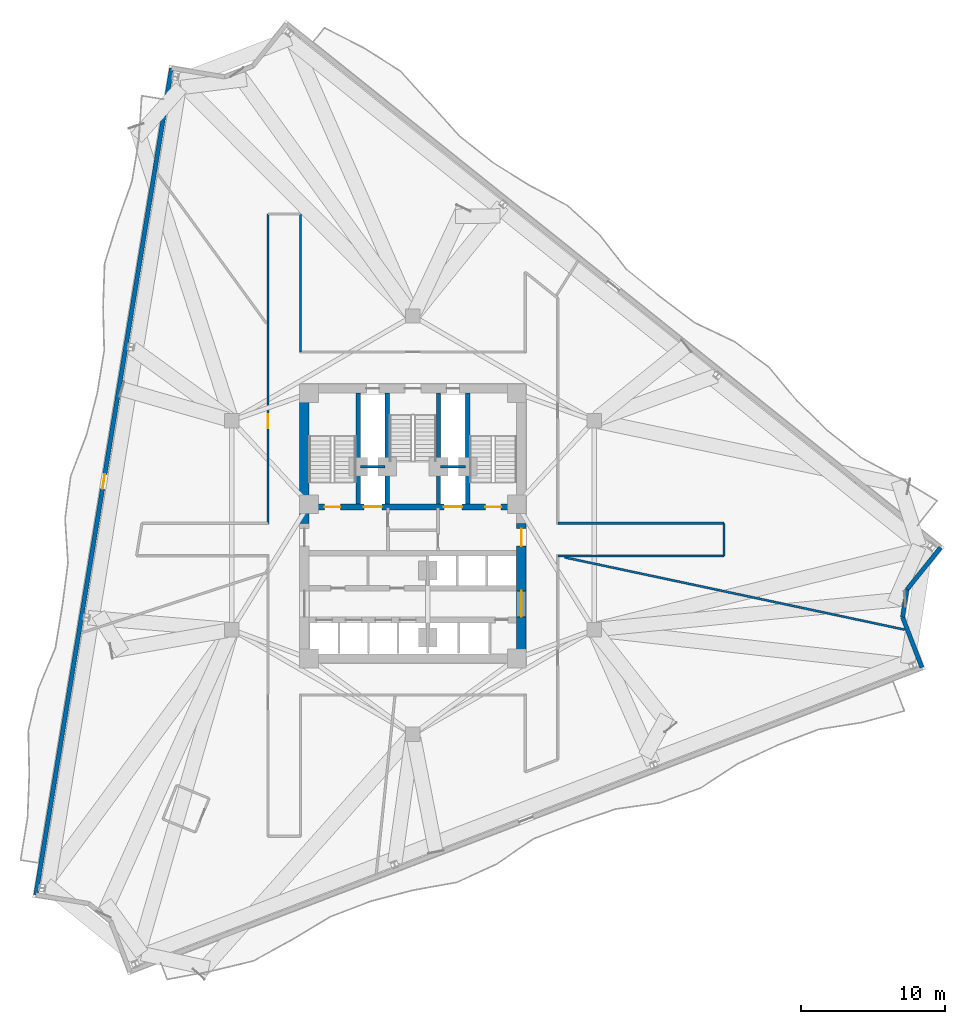
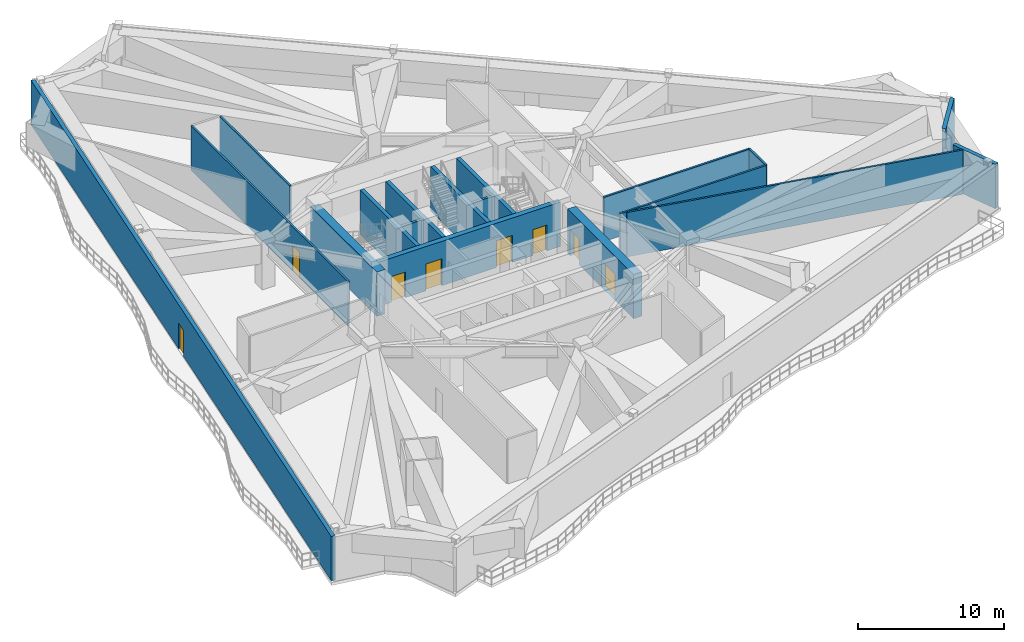
# One storey, part 9 of 14: 19 walls, 8 doors, 8 openings.
"""IFC4 building model written with IfcOpenShell, lengths in metres."""

from ifc_helpers import new_model, si_unit, direction, frame, frame_2d, origin, place, context, subcontext, project, spatial, rectangle, extrude, material, layer, layer_set, type_object, element, fill, save


model = new_model("IFC4")

# Units and contexts
model_context = context("Model", 3, precision=1e-05, world=origin(), true_north=direction((0.0, 1.0)))
body_context = subcontext(model_context, "Body", "Model", "MODEL_VIEW")
ifc_project = project(units=[si_unit("LENGTHUNIT", "METRE"), si_unit("AREAUNIT", "SQUARE_METRE"), si_unit("VOLUMEUNIT", "CUBIC_METRE"), si_unit("PLANEANGLEUNIT", "RADIAN"), si_unit("MASSUNIT", "GRAM", prefix="KILO")], contexts=[model_context])

# Site, building, storey
site_placement = place(None, origin())
site = spatial("IfcSite", under=ifc_project, at=site_placement, CompositionType="ELEMENT")
building_placement = place(site_placement, origin())
building = spatial("IfcBuilding", under=site, at=building_placement, Name="Apsidion Concourse Tower", CompositionType="ELEMENT")
storey_placement = place(building_placement, frame((0.0, 0.0, 156.800048828125)))
storey = spatial("IfcBuildingStorey", under=building, at=storey_placement, Name="L36", CompositionType="ELEMENT", Elevation=156.800048828125)

# Walls
ifc_material_1 = material(Name="Precast concrete C40/50", Category="concrete")
ifc_layer_1 = layer(ifc_material_1, 0.300048828125)
ifc_layer_set_1 = layer_set([ifc_layer_1], Name="Precast concrete C40/50")
wall_type_1 = type_object("IfcWallType", Name="WL-EXT-300", PredefinedType="STANDARD", material=ifc_layer_set_1)
wall_1_placement = place(storey_placement, frame((36.58984375, -1.556640625, 0.0), z_axis=(0.0, 0.0, 1.0), x_axis=(-0.62493402561, -0.780677567012, 0.0)))
element("IfcWall", 1, at=wall_1_placement, inside=storey, type_object=wall_type_1, Name="L36 Precast Stone Facade Wall 02", PredefinedType="STANDARD", context=body_context, shape_type="SweptSolid", body=[
    extrude(rectangle(XDim=3.737060546875, YDim=0.300048828125, at=frame_2d((1.86865234375, 0.0))), origin(), (0.0, 0.0, 1.0), 3.699951171875),
])
wall_2_placement = place(storey_placement, frame((34.25439453125, -4.47412109375, 0.0), z_axis=(0.0, 0.0, 1.0), x_axis=(-0.153717968475, -0.988114763663, 0.0)))
element("IfcWall", 2, at=wall_2_placement, inside=storey, type_object=wall_type_1, Name="L36 Precast Stone Facade Wall 03", PredefinedType="STANDARD", context=body_context, shape_type="SweptSolid", body=[
    extrude(rectangle(XDim=1.932861328125, YDim=0.300048828125, at=frame_2d((0.96630859375, 0.0))), origin(), (0.0, 0.0, 1.0), 2.079833984375),
])
wall_3_placement = place(storey_placement, frame((33.957275390625, -6.384033203125, 0.0), z_axis=(0.0, 0.0, 1.0), x_axis=(0.358344201462, -0.933589542186, 0.0)))
element("IfcWall", 3, at=wall_3_placement, inside=storey, type_object=wall_type_1, Name="L36 Precast Stone Facade Wall 04", PredefinedType="STANDARD", context=body_context, shape_type="SweptSolid", body=[
    extrude(rectangle(XDim=3.737060546875, YDim=0.300048828125, at=frame_2d((1.86865234375, 0.0))), origin(), (0.0, 0.0, 1.0), 3.699951171875),
])

# Wall, opening, door
wall_4_placement = place(storey_placement, frame((-26.149658203125, -25.64013671875, 0.0), z_axis=(0.0, 0.0, 1.0), x_axis=(0.161975761987, 0.986794736776, 0.0)))
wall_4 = element("IfcWall", 4, at=wall_4_placement, inside=storey, type_object=wall_type_1, Name="L36 Precast Stone Facade Wall 09", PredefinedType="STANDARD", context=body_context, shape_type="SweptSolid", body=[
    extrude(rectangle(XDim=58.093017578125, YDim=0.300048828125, at=frame_2d((29.04638671875, 0.0))), origin(), (0.0, 0.0, 1.0), 3.699951171875),
])
opening_1_placement = place(wall_4_placement, frame((28.54638671875, 0.0, 0.0)))
opening_1 = element("IfcOpeningElement", 5, at=opening_1_placement, cuts=wall_4, Name="Opening D-T1L", PredefinedType="OPENING", context=body_context, shape_type="SweptSolid", body=[
    extrude(rectangle(XDim=1.0, YDim=2.14990234375, at=frame_2d((0.5, 1.074951171875))), frame((0.0, 0.16015625, 0.0), z_axis=(0.0, -1.0, 0.0), x_axis=(1.0, 0.0, 0.0)), (0.0, 0.0, 1.0), 0.320068359375),
])
ifc_material_2 = material(Name="Anodised aluminium EN AW-6063 T6", Category="aluminium")
door_type_1 = type_object("IfcDoorType", Name="DR-TER-1022L", OperationType="SINGLE_SWING_LEFT", PredefinedType="DOOR", material=ifc_material_2)
door_1_placement = place(opening_1_placement, origin())
door_1 = element("IfcDoor", 6, at=door_1_placement, inside=storey, type_object=door_type_1, Name="L36 Balcony Access Door 1", OperationType="SINGLE_SWING_LEFT", OverallHeight=2.14990234375, OverallWidth=1.0, PredefinedType="DOOR", context=body_context, shape_type="SweptSolid", body=[
    extrude(rectangle(XDim=1.0, YDim=2.14990234375, at=frame_2d((0.5, 1.074951171875))), frame((0.0, 0.02490234375, 0.0), z_axis=(0.0, -1.0, 0.0), x_axis=(1.0, 0.0, 0.0)), (0.0, 0.0, 1.0), 0.050048828125),
])
fill(opening_1, door_1)

ifc_material_3 = material(Name="Gypsum plasterboard partition")
ifc_layer_2 = layer(ifc_material_3, 0.14990234375)
ifc_layer_set_2 = layer_set([ifc_layer_2], Name="Gypsum plasterboard partition")
wall_type_2 = type_object("IfcWallType", Name="WL-INT-PAR-150", PredefinedType="PARTITIONING", material=ifc_layer_set_2)
wall_5_placement = place(storey_placement, frame((-10.050048828125, 0.1298828125, 0.0), z_axis=(0.0, 0.0, 1.0), x_axis=(0.0, 1.0, 0.0)))
wall_5 = element("IfcWall", 7, at=wall_5_placement, inside=storey, type_object=wall_type_2, Name="L36 Interior Partition WL-L36-CORR-10", PredefinedType="PARTITIONING", context=body_context, shape_type="SweptSolid", body=[
    extrude(rectangle(XDim=21.4501953125, YDim=0.14990234375, at=frame_2d((10.72509765625, 0.0))), origin(), (0.0, 0.0, 1.0), 3.699951171875),
])
opening_2_placement = place(wall_5_placement, frame((6.601318359375, 0.0, 0.0)))
opening_2 = element("IfcOpeningElement", 8, at=opening_2_placement, cuts=wall_5, Name="Opening D-01L", PredefinedType="OPENING", context=body_context, shape_type="SweptSolid", body=[
    extrude(rectangle(XDim=0.949951171875, YDim=2.14990234375, at=frame_2d((0.47509765625, 1.074951171875))), frame((0.0, 0.0849609375, 0.0), z_axis=(0.0, -1.0, 0.0), x_axis=(1.0, 0.0, 0.0)), (0.0, 0.0, 1.0), 0.169921875),
])
ifc_material_4 = material(Name="Brushed stainless steel 316", Category="steel")
door_type_2 = type_object("IfcDoorType", Name="DR-INT-D01L", OperationType="SINGLE_SWING_LEFT", PredefinedType="DOOR", material=ifc_material_4)
door_2_placement = place(opening_2_placement, origin())
door_2 = element("IfcDoor", 9, at=door_2_placement, inside=storey, type_object=door_type_2, Name="L36 Corridor Entry Door 05", OperationType="SINGLE_SWING_LEFT", OverallHeight=2.14990234375, OverallWidth=0.949951171875, PredefinedType="DOOR", context=body_context, shape_type="SweptSolid", body=[
    extrude(rectangle(XDim=0.949951171875, YDim=2.14990234375, at=frame_2d((0.47509765625, 1.074951171875))), frame((0.0, 0.02490234375, 0.0), z_axis=(0.0, -1.0, 0.0), x_axis=(1.0, 0.0, 0.0)), (0.0, 0.0, 1.0), 0.050048828125),
])
fill(opening_2, door_2)

# Walls
wall_6_placement = place(storey_placement, frame((-7.7900390625, 21.580078125, 0.0), z_axis=(0.0, 0.0, 1.0), x_axis=(0.0, -1.0, 0.0)))
element("IfcWall", 10, at=wall_6_placement, inside=storey, type_object=wall_type_2, Name="L36 Interior Partition WL-L36-CORR-12", PredefinedType="PARTITIONING", context=body_context, shape_type="SweptSolid", body=[
    extrude(rectangle(XDim=9.580078125, YDim=0.14990234375, at=frame_2d((4.7900390625, 0.0))), origin(), (0.0, 0.0, 1.0), 3.699951171875),
])
wall_7_placement = place(storey_placement, frame((10.050048828125, 0.1298828125, 0.0), z_axis=(0.0, 0.0, 1.0), x_axis=(1.0, 0.0, 0.0)))
element("IfcWall", 11, at=wall_7_placement, inside=storey, type_object=wall_type_2, Name="L36 Interior Partition WL-L36-CORR-17", PredefinedType="PARTITIONING", context=body_context, shape_type="SweptSolid", body=[
    extrude(rectangle(XDim=11.530029296875, YDim=0.14990234375, at=frame_2d((5.76513671875, 0.0))), origin(), (0.0, 0.0, 1.0), 3.699951171875),
])
wall_8_placement = place(storey_placement, frame((21.580078125, 0.1298828125, 0.0), z_axis=(0.0, 0.0, 1.0), x_axis=(0.0, -1.0, 0.0)))
element("IfcWall", 12, at=wall_8_placement, inside=storey, type_object=wall_type_2, Name="L36 Interior Partition WL-L36-CORR-18", PredefinedType="PARTITIONING", context=body_context, shape_type="SweptSolid", body=[
    extrude(rectangle(XDim=2.259765625, YDim=0.14990234375, at=frame_2d((1.1298828125, 0.0))), origin(), (0.0, 0.0, 1.0), 3.699951171875),
])
wall_9_placement = place(storey_placement, frame((21.580078125, -2.1298828125, 0.0), z_axis=(0.0, 0.0, 1.0), x_axis=(-1.0, 0.0, 0.0)))
element("IfcWall", 13, at=wall_9_placement, inside=storey, type_object=wall_type_2, Name="L36 Interior Partition WL-L36-CORR-19", PredefinedType="PARTITIONING", context=body_context, shape_type="SweptSolid", body=[
    extrude(rectangle(XDim=11.530029296875, YDim=0.14990234375, at=frame_2d((5.76513671875, 0.0))), origin(), (0.0, 0.0, 1.0), 3.699951171875),
])
wall_10_placement = place(storey_placement, frame((10.514892578125, -2.235107421875, 0.0), z_axis=(0.0, 0.0, 1.0), x_axis=(0.978148639384, -0.207906804293, 0.0)))
element("IfcWall", 14, at=wall_10_placement, inside=storey, type_object=wall_type_2, Name="L36 Interior Partition WL-L36-RAD-05-1", PredefinedType="PARTITIONING", context=body_context, shape_type="SweptSolid", body=[
    extrude(rectangle(XDim=24.12548828125, YDim=0.14990234375, at=frame_2d((12.062744140625, 0.0))), origin(), (0.0, 0.0, 1.0), 3.699951171875),
])
ifc_layer_3 = layer(ifc_material_3, 0.199951171875)
ifc_layer_set_3 = layer_set([ifc_layer_3], Name="Gypsum plasterboard partition")
wall_type_3 = type_object("IfcWallType", Name="WL-INT-PAR-200", PredefinedType="PARTITIONING", material=ifc_layer_set_3)
for number, where, z_axis, x_axis, name in (
    (15, (-3.64990234375, 4.050048828125, 0.0), (0.0, 0.0, 1.0), (1.0, 0.0, 0.0), "L36 Interior Partition WL-L36-FF1-N"),
    (16, (1.919921875, 4.050048828125, 0.0), (0.0, 0.0, 1.0), (1.0, 0.0, 0.0), "L36 Interior Partition WL-L36-FF2-N"),
):
    element("IfcWall", number, at=place(storey_placement, frame(where, z_axis=z_axis, x_axis=x_axis)), inside=storey, type_object=wall_type_3, Name=name, PredefinedType="PARTITIONING", context=body_context, shape_type="SweptSolid", body=[
        extrude(rectangle(XDim=1.72998046875, YDim=0.199951171875, at=frame_2d((0.864990234375, 0.0))), origin(), (0.0, 0.0, 1.0), 3.699951171875),
    ])
ifc_material_5 = material(Name="Concrete C50/60", Category="concrete")
ifc_layer_4 = layer(ifc_material_5, 0.300048828125)
ifc_layer_set_4 = layer_set([ifc_layer_4], Name="Concrete C50/60")
wall_type_4 = type_object("IfcWallType", Name="WL-SH-300", PredefinedType="SHEAR", material=ifc_layer_set_4)
for number, where, z_axis, x_axis, name in (
    (17, (-3.800048828125, 1.449951171875, 0.0), (0.0, 0.0, 1.0), (0.0, 1.0, 0.0), "L36 Central Core Shear Wall V1"),
    (18, (-1.77490234375, 1.449951171875, 0.0), (0.0, 0.0, 1.0), (0.0, 1.0, 0.0), "L36 Central Core Shear Wall V2"),
    (19, (1.77490234375, 1.449951171875, 0.0), (0.0, 0.0, 1.0), (0.0, 1.0, 0.0), "L36 Central Core Shear Wall V3"),
    (20, (3.800048828125, 1.449951171875, 0.0), (0.0, 0.0, 1.0), (0.0, 1.0, 0.0), "L36 Central Core Shear Wall V4"),
):
    element("IfcWall", number, at=place(storey_placement, frame(where, z_axis=z_axis, x_axis=x_axis)), inside=storey, type_object=wall_type_4, Name=name, PredefinedType="SHEAR", context=body_context, shape_type="SweptSolid", body=[
        extrude(rectangle(XDim=7.699951171875, YDim=0.300048828125, at=frame_2d((3.85009765625, 0.0))), origin(), (0.0, 0.0, 1.0), 3.699951171875),
    ])

# Wall, openings, doors
ifc_layer_5 = layer(ifc_material_5, 0.39990234375)
ifc_layer_set_5 = layer_set([ifc_layer_5], Name="Concrete C50/60")
wall_type_5 = type_object("IfcWallType", Name="WL-SH-400", PredefinedType="SHEAR", material=ifc_layer_set_5)
wall_11_placement = place(storey_placement, frame((-7.199951171875, 1.25, 0.0), z_axis=(0.0, 0.0, 1.0), x_axis=(1.0, 0.0, 0.0)))
wall_11 = element("IfcWall", 21, at=wall_11_placement, inside=storey, type_object=wall_type_5, Name="L36 Central Core Shear Wall M1", PredefinedType="SHEAR", context=body_context, shape_type="SweptSolid", body=[
    extrude(rectangle(XDim=14.39990234375, YDim=0.39990234375, at=frame_2d((7.199951171875, 0.0))), origin(), (0.0, 0.0, 1.0), 3.699951171875),
])
opening_3_placement = place(wall_11_placement, frame((3.794921875, 0.0, 0.0)))
opening_3 = element("IfcOpeningElement", 22, at=opening_3_placement, cuts=wall_11, Name="Opening LD-FF", PredefinedType="OPENING", context=body_context, shape_type="SweptSolid", body=[
    extrude(rectangle(XDim=1.25, YDim=2.25, at=frame_2d((0.625, 1.125))), frame((0.0, 0.2099609375, 0.0), z_axis=(0.0, -1.0, 0.0), x_axis=(1.0, 0.0, 0.0)), (0.0, 0.0, 1.0), 0.419921875),
])
opening_4_placement = place(wall_11_placement, frame((9.35498046875, 0.0, 0.0)))
opening_4 = element("IfcOpeningElement", 23, at=opening_4_placement, cuts=wall_11, Name="Opening LD-FF", PredefinedType="OPENING", context=body_context, shape_type="SweptSolid", body=[
    extrude(rectangle(XDim=1.25, YDim=2.25, at=frame_2d((0.625, 1.125))), frame((0.0, 0.2099609375, 0.0), z_axis=(0.0, -1.0, 0.0), x_axis=(1.0, 0.0, 0.0)), (0.0, 0.0, 1.0), 0.419921875),
])
opening_5_placement = place(wall_11_placement, frame((1.074951171875, 0.0, 0.0)))
opening_5 = element("IfcOpeningElement", 24, at=opening_5_placement, cuts=wall_11, Name="Opening D-STL", PredefinedType="OPENING", context=body_context, shape_type="SweptSolid", body=[
    extrude(rectangle(XDim=1.10009765625, YDim=2.14990234375, at=frame_2d((0.550048828125, 1.074951171875))), frame((0.0, 0.2099609375, 0.0), z_axis=(0.0, -1.0, 0.0), x_axis=(1.0, 0.0, 0.0)), (0.0, 0.0, 1.0), 0.419921875),
])
opening_6_placement = place(wall_11_placement, frame((12.22509765625, 0.0, 0.0)))
opening_6 = element("IfcOpeningElement", 25, at=opening_6_placement, cuts=wall_11, Name="Opening D-STR", PredefinedType="OPENING", context=body_context, shape_type="SweptSolid", body=[
    extrude(rectangle(XDim=1.10009765625, YDim=2.14990234375, at=frame_2d((0.550048828125, 1.074951171875))), frame((0.0, 0.2099609375, 0.0), z_axis=(0.0, -1.0, 0.0), x_axis=(1.0, 0.0, 0.0)), (0.0, 0.0, 1.0), 0.419921875),
])
door_type_3 = type_object("IfcDoorType", Name="DR-INT-ST1L", OperationType="SINGLE_SWING_LEFT", PredefinedType="DOOR", material=ifc_material_4)
door_3_placement = place(opening_5_placement, origin())
door_3 = element("IfcDoor", 26, at=door_3_placement, inside=storey, type_object=door_type_3, Name="L36 Core Exit Stair ST1 Door", OperationType="SINGLE_SWING_LEFT", OverallHeight=2.14990234375, OverallWidth=1.10009765625, PredefinedType="DOOR", context=body_context, shape_type="SweptSolid", body=[
    extrude(rectangle(XDim=1.10009765625, YDim=2.14990234375, at=frame_2d((0.550048828125, 1.074951171875))), frame((0.0, 0.02490234375, 0.0), z_axis=(0.0, -1.0, 0.0), x_axis=(1.0, 0.0, 0.0)), (0.0, 0.0, 1.0), 0.050048828125),
])
fill(opening_5, door_3)
door_type_4 = type_object("IfcDoorType", Name="DR-INT-ST1R", OperationType="SINGLE_SWING_RIGHT", PredefinedType="DOOR", material=ifc_material_4)
door_4_placement = place(opening_6_placement, origin())
door_4 = element("IfcDoor", 27, at=door_4_placement, inside=storey, type_object=door_type_4, Name="L36 Core Exit Stair ST2 Door", OperationType="SINGLE_SWING_RIGHT", OverallHeight=2.14990234375, OverallWidth=1.10009765625, PredefinedType="DOOR", context=body_context, shape_type="SweptSolid", body=[
    extrude(rectangle(XDim=1.10009765625, YDim=2.14990234375, at=frame_2d((0.550048828125, 1.074951171875))), frame((0.0, 0.02490234375, 0.0), z_axis=(0.0, -1.0, 0.0), x_axis=(1.0, 0.0, 0.0)), (0.0, 0.0, 1.0), 0.050048828125),
])
fill(opening_6, door_4)
door_type_5 = type_object("IfcDoorType", Name="DR-LD-FSAE", OperationType="DOUBLE_DOOR_SLIDING", PredefinedType="DOOR", material=ifc_material_4)
door_5_placement = place(opening_3_placement, origin())
door_5 = element("IfcDoor", 28, at=door_5_placement, inside=storey, type_object=door_type_5, Name="L36 Lift Landing Door FF1", OperationType="DOUBLE_DOOR_SLIDING", OverallHeight=2.25, OverallWidth=1.25, PredefinedType="DOOR", context=body_context, shape_type="SweptSolid", body=[
    extrude(rectangle(XDim=1.25, YDim=2.25, at=frame_2d((0.625, 1.125))), frame((0.0, 0.02490234375, 0.0), z_axis=(0.0, -1.0, 0.0), x_axis=(1.0, 0.0, 0.0)), (0.0, 0.0, 1.0), 0.050048828125),
])
fill(opening_3, door_5)
door_6_placement = place(opening_4_placement, origin())
door_6 = element("IfcDoor", 29, at=door_6_placement, inside=storey, type_object=door_type_5, Name="L36 Lift Landing Door FF2", OperationType="DOUBLE_DOOR_SLIDING", OverallHeight=2.25, OverallWidth=1.25, PredefinedType="DOOR", context=body_context, shape_type="SweptSolid", body=[
    extrude(rectangle(XDim=1.25, YDim=2.25, at=frame_2d((0.625, 1.125))), frame((0.0, 0.02490234375, 0.0), z_axis=(0.0, -1.0, 0.0), x_axis=(1.0, 0.0, 0.0)), (0.0, 0.0, 1.0), 0.050048828125),
])
fill(opening_4, door_6)

# Wall
ifc_layer_6 = layer(ifc_material_5, 0.64990234375)
ifc_layer_set_6 = layer_set([ifc_layer_6], Name="Concrete C50/60")
wall_type_6 = type_object("IfcWallType", Name="WL-SH-650", PredefinedType="SHEAR", material=ifc_layer_set_6)
wall_12_placement = place(storey_placement, frame((-7.52490234375, 0.10009765625, 0.0), z_axis=(0.0, 0.0, 1.0), x_axis=(0.0, 1.0, 0.0)))
element("IfcWall", 30, at=wall_12_placement, inside=storey, type_object=wall_type_6, Name="L36 Central Core Shear Wall WN", PredefinedType="SHEAR", context=body_context, shape_type="SweptSolid", body=[
    extrude(rectangle(XDim=9.0498046875, YDim=0.64990234375, at=frame_2d((4.52490234375, 0.0))), origin(), (0.0, 0.0, 1.0), 3.699951171875),
])

# Wall, openings, doors
wall_13_placement = place(storey_placement, frame((7.52490234375, -8.925048828125, 0.0), z_axis=(0.0, 0.0, 1.0), x_axis=(0.0, 1.0, 0.0)))
wall_13 = element("IfcWall", 31, at=wall_13_placement, inside=storey, type_object=wall_type_6, Name="L36 Central Core Shear Wall ES", PredefinedType="SHEAR", context=body_context, shape_type="SweptSolid", body=[
    extrude(rectangle(XDim=9.025146484375, YDim=0.64990234375, at=frame_2d((4.5126953125, 0.0))), origin(), (0.0, 0.0, 1.0), 3.699951171875),
])
opening_7_placement = place(wall_13_placement, frame((2.56494140625, 0.0, 0.0)))
opening_7 = element("IfcOpeningElement", 32, at=opening_7_placement, cuts=wall_13, Name="Opening D-06D", PredefinedType="OPENING", context=body_context, shape_type="SweptSolid", body=[
    extrude(rectangle(XDim=1.800048828125, YDim=2.199951171875, at=frame_2d((0.89990234375, 1.10009765625))), frame((0.0, 0.3349609375, 0.0), z_axis=(0.0, -1.0, 0.0), x_axis=(1.0, 0.0, 0.0)), (0.0, 0.0, 1.0), 0.669921875),
])
opening_8_placement = place(wall_13_placement, frame((7.47509765625, 0.0, 0.0)))
opening_8 = element("IfcOpeningElement", 33, at=opening_8_placement, cuts=wall_13, Name="Opening D-FFR", PredefinedType="OPENING", context=body_context, shape_type="SweptSolid", body=[
    extrude(rectangle(XDim=1.199951171875, YDim=2.14990234375, at=frame_2d((0.60009765625, 1.074951171875))), frame((0.0, 0.3349609375, 0.0), z_axis=(0.0, -1.0, 0.0), x_axis=(1.0, 0.0, 0.0)), (0.0, 0.0, 1.0), 0.669921875),
])
door_type_6 = type_object("IfcDoorType", Name="DR-INT-D06D", OperationType="DOUBLE_DOOR_SINGLE_SWING", PredefinedType="DOOR", material=ifc_material_4)
door_7_placement = place(opening_7_placement, origin())
door_7 = element("IfcDoor", 34, at=door_7_placement, inside=storey, type_object=door_type_6, Name="L36 Passenger Lift Lobby ES Portal Door", OperationType="DOUBLE_DOOR_SINGLE_SWING", OverallHeight=2.199951171875, OverallWidth=1.800048828125, PredefinedType="DOOR", context=body_context, shape_type="SweptSolid", body=[
    extrude(rectangle(XDim=1.800048828125, YDim=2.199951171875, at=frame_2d((0.89990234375, 1.10009765625))), frame((0.0, 0.02490234375, 0.0), z_axis=(0.0, -1.0, 0.0), x_axis=(1.0, 0.0, 0.0)), (0.0, 0.0, 1.0), 0.050048828125),
])
fill(opening_7, door_7)
door_type_7 = type_object("IfcDoorType", Name="DR-INT-FFR", OperationType="SINGLE_SWING_RIGHT", PredefinedType="DOOR", material=ifc_material_4)
door_8_placement = place(opening_8_placement, origin())
door_8 = element("IfcDoor", 35, at=door_8_placement, inside=storey, type_object=door_type_7, Name="L36 Firefighting Lift Lobby FF2 Door", OperationType="SINGLE_SWING_RIGHT", OverallHeight=2.14990234375, OverallWidth=1.199951171875, PredefinedType="DOOR", context=body_context, shape_type="SweptSolid", body=[
    extrude(rectangle(XDim=1.199951171875, YDim=2.14990234375, at=frame_2d((0.60009765625, 1.074951171875))), frame((0.0, 0.02490234375, 0.0), z_axis=(0.0, -1.0, 0.0), x_axis=(1.0, 0.0, 0.0)), (0.0, 0.0, 1.0), 0.050048828125),
])
fill(opening_8, door_8)

save(model, "model.ifc")
